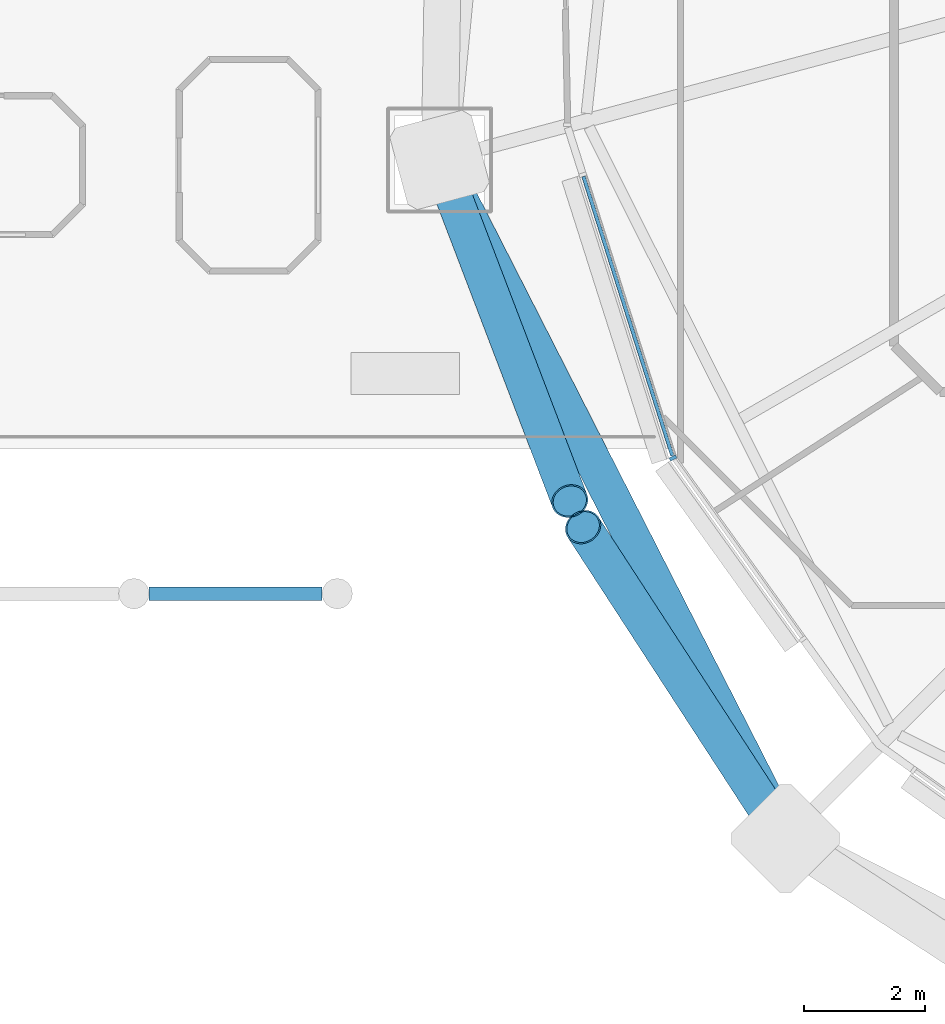
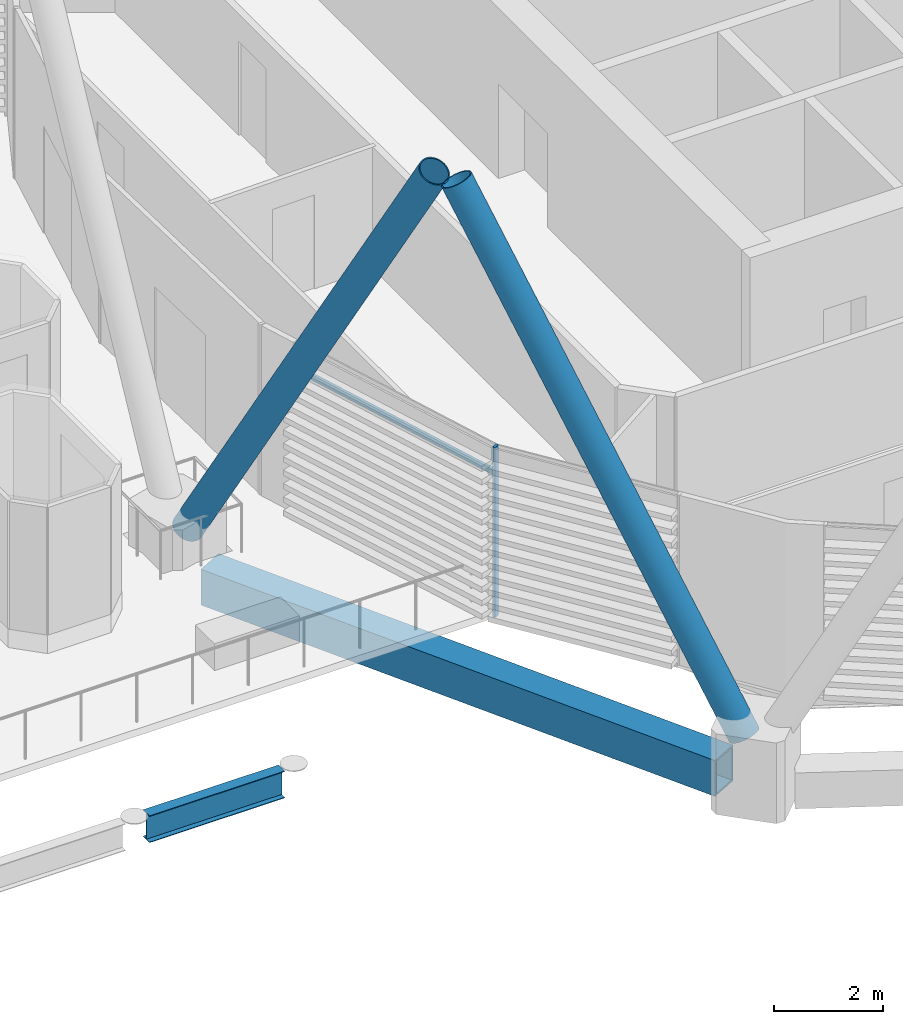
# One storey, part 7 of 38: 4 members, 2 beams, 1 element without a shape of its own.
"""IFC4 building model written with IfcOpenShell, lengths in metres."""

from ifc_helpers import new_model, si_unit, direction, frame, origin, origin_2d, place, context, subcontext, project, spatial, rectangle, hollow_rectangle, hollow_circle, i_section, extrude, material, material_profile, profile_set, type_object, element, aggregate, save


model = new_model("IFC4")

# Units and contexts
model_context = context("Model", 3, precision=1e-05, world=origin(), true_north=direction((0.0, 1.0)))
body_context = subcontext(model_context, "Body", "Model", "MODEL_VIEW")
ifc_project = project(units=[si_unit("LENGTHUNIT", "METRE"), si_unit("AREAUNIT", "SQUARE_METRE"), si_unit("VOLUMEUNIT", "CUBIC_METRE"), si_unit("PLANEANGLEUNIT", "RADIAN"), si_unit("MASSUNIT", "GRAM", prefix="KILO")], contexts=[model_context])

# Site, building, storey
site_placement = place(None, origin())
site = spatial("IfcSite", under=ifc_project, at=site_placement, CompositionType="ELEMENT")
building_placement = place(site_placement, origin())
building = spatial("IfcBuilding", under=site, at=building_placement, Name="Rimbun Link Towers", CompositionType="ELEMENT")
storey_placement = place(building_placement, frame((0.0, 0.0, 158.89990234375)))
storey = spatial("IfcBuildingStorey", under=building, at=storey_placement, Name="L38", CompositionType="ELEMENT", Elevation=158.89990234375)

# Curtain wall, members
ifc_material_1 = material(Name="Aluminium 6063-T6 and low-iron glass", Category="aluminium")
curtain_wall_type = type_object("IfcCurtainWallType", Name="CW1-Z3 unitised vision wall (zone 3)", PredefinedType="NOTDEFINED", material=ifc_material_1)
curtain_wall_placement = place(storey_placement, origin())
curtain_wall = element("IfcCurtainWall", 1, at=curtain_wall_placement, inside=storey, type_object=curtain_wall_type, Name="CW1 L38 T2", PredefinedType="NOTDEFINED")
ifc_material_2 = material(Name="Aluminium 6063-T6", Category="aluminium")
ifc_material_profile_1 = material_profile(ifc_material_2, rectangle(XDim=0.1201171875, YDim=0.06005859375, at=origin_2d()), Name="MULLION 60X120")
ifc_profile_set_1 = profile_set([ifc_material_profile_1], Name="Aluminium 6063-T6")
member_type_1 = type_object("IfcMemberType", Name="CW1 mullion 60X120", PredefinedType="MULLION", material=ifc_profile_set_1)
member_1_placement = place(storey_placement, frame((12.4296875, -11.150634765625, 0.0), z_axis=(0.0, 0.0, 1.0), x_axis=(-0.893743983929, -0.448577408247, 0.0)))
member_1 = element("IfcMember", 2, at=member_1_placement, type_object=member_type_1, Name="CW1 mullion", PredefinedType="MULLION", context=body_context, shape_type="SweptSolid", body=[
    extrude(rectangle(XDim=0.1201171875, YDim=0.06005859375, at=origin_2d()), origin(), (0.0, 0.0, 1.0), 3.800048828125),
])
ifc_material_3 = material(Name="Aluminium 6063-T6", Category="aluminium")
ifc_material_profile_2 = material_profile(ifc_material_3, rectangle(XDim=0.06005859375, YDim=0.1201171875, at=origin_2d()), Name="TRANSOM 60X120")
ifc_profile_set_2 = profile_set([ifc_material_profile_2], Name="Aluminium 6063-T6")
member_type_2 = type_object("IfcMemberType", Name="CW1 transom 60X120", PredefinedType="USERDEFINED", material=ifc_profile_set_2)
member_2_placement = place(storey_placement, frame((12.4189453125, -11.112548828125, 3.2001953125), z_axis=(-0.303085321877, 0.952963424095, 0.0), x_axis=(-0.952963424095, -0.303085321877, 0.0)))
member_2 = element("IfcMember", 3, at=member_2_placement, type_object=member_type_2, Name="CW1 transom", ObjectType="TRANSOM", PredefinedType="USERDEFINED", context=body_context, shape_type="SweptSolid", body=[
    extrude(rectangle(XDim=0.06005859375, YDim=0.1201171875, at=origin_2d()), origin(), (0.0, 0.0, 1.0), 4.85400390625),
])
aggregate(curtain_wall, [member_1, member_2])

# Members
ifc_material_4 = material(Name="Steel S355J2H", Category="steel")
ifc_material_profile_3 = material_profile(ifc_material_4, hollow_circle(Radius=0.3046875, WallThickness=0.02490234375, at=origin_2d()), Name="Diagrid diagonal CHS 610x25")
ifc_profile_set_3 = profile_set([ifc_material_profile_3], Name="Steel S355J2H")
member_type_3 = type_object("IfcMemberType", Name="Diagrid diagonal CHS 610x25", PredefinedType="BRACE", material=ifc_profile_set_3)
member_3_placement = place(storey_placement, frame((8.6494140625, -6.438720703125, 0.437744140625), z_axis=(0.1723429569, -0.451430502708, 0.875504658144), x_axis=(0.934233155145, 0.356662882606, 0.0)))
element("IfcMember", 4, at=member_3_placement, inside=storey, type_object=member_type_3, Name="Diagrid diagonal T2 L38-L41 10b", PredefinedType="BRACE", context=body_context, shape_type="SweptSolid", body=[
    extrude(hollow_circle(Radius=0.3046875, WallThickness=0.02490234375, at=origin_2d()), origin(), (0.0, 0.0, 1.0), 12.021240234375),
])
member_4_placement = place(storey_placement, frame((14.160888671875, -17.25048828125, 0.43603515625), z_axis=(-0.266713546212, 0.41035342177, 0.872051577321), x_axis=(-0.838458720532, -0.544965112611, 0.0)))
element("IfcMember", 5, at=member_4_placement, inside=storey, type_object=member_type_3, Name="Diagrid diagonal T2 L38-L41 12a", PredefinedType="BRACE", context=body_context, shape_type="SweptSolid", body=[
    extrude(hollow_circle(Radius=0.3046875, WallThickness=0.02490234375, at=origin_2d()), origin(), (0.0, 0.0, 1.0), 12.07275390625),
])

# Beams
ifc_material_5 = material(Name="Steel S355J2", Category="steel")
ifc_material_profile_4 = material_profile(ifc_material_5, hollow_rectangle(XDim=0.60009765625, YDim=0.800048828125, WallThickness=0.0400390625, at=origin_2d()), Name="Exoskeleton ring girder BOX 600x800x40")
ifc_profile_set_4 = profile_set([ifc_material_profile_4], Name="Steel S355J2")
beam_type_1 = type_object("IfcBeamType", Name="Exoskeleton ring girder BOX 600x800x40", PredefinedType="BEAM", material=ifc_profile_set_4)
beam_1_placement = place(storey_placement, frame((8.881103515625, -6.83642578125, -0.559814453125), z_axis=(0.454163402486, -0.890918404705, 0.0), x_axis=(0.890918404705, 0.454163402486, 0.0)))
element("IfcBeam", 6, at=beam_1_placement, inside=storey, type_object=beam_type_1, Name="Exoskeleton ring girder L38 05", PredefinedType="BEAM", context=body_context, shape_type="SweptSolid", body=[
    extrude(hollow_rectangle(XDim=0.60009765625, YDim=0.800048828125, WallThickness=0.0400390625, at=origin_2d()), origin(), (0.0, 0.0, 1.0), 11.219482421875),
])
ifc_material_6 = material(Name="Steel S355J2", Category="steel")
ifc_material_profile_5 = material_profile(ifc_material_6, i_section(OverallWidth=0.2275390625, OverallDepth=0.6025390625, WebThickness=0.010498046875, FlangeThickness=0.014892578125, at=origin_2d()), Name="UB 610x229x101")
ifc_profile_set_5 = profile_set([ifc_material_profile_5], Name="Steel S355J2")
beam_type_2 = type_object("IfcBeamType", Name="Link megaframe ring beam UB 610x229x101", PredefinedType="BEAM", material=ifc_profile_set_5)
beam_2_placement = place(storey_placement, frame((3.751708984375, -13.39990234375, -0.30126953125), z_axis=(1.0, 0.0, 0.0), x_axis=(0.0, 1.0, 0.0)))
element("IfcBeam", 7, at=beam_2_placement, inside=storey, type_object=beam_type_2, Name="Link megaframe ring beam S4-5 L38", PredefinedType="BEAM", context=body_context, shape_type="SweptSolid", body=[
    extrude(i_section(OverallWidth=0.2275390625, OverallDepth=0.6025390625, WebThickness=0.010498046875, FlangeThickness=0.014892578125, at=origin_2d()), origin(), (0.0, 0.0, 1.0), 2.861083984375),
])

save(model, "model.ifc")
